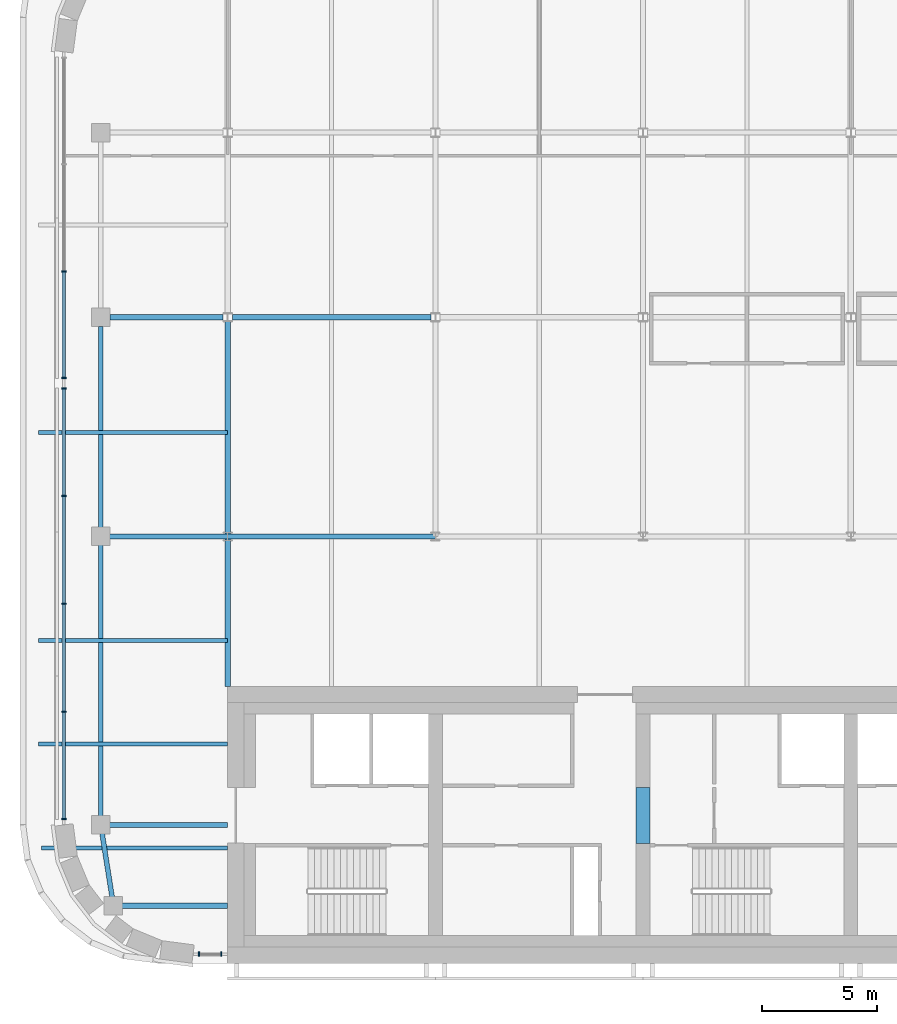
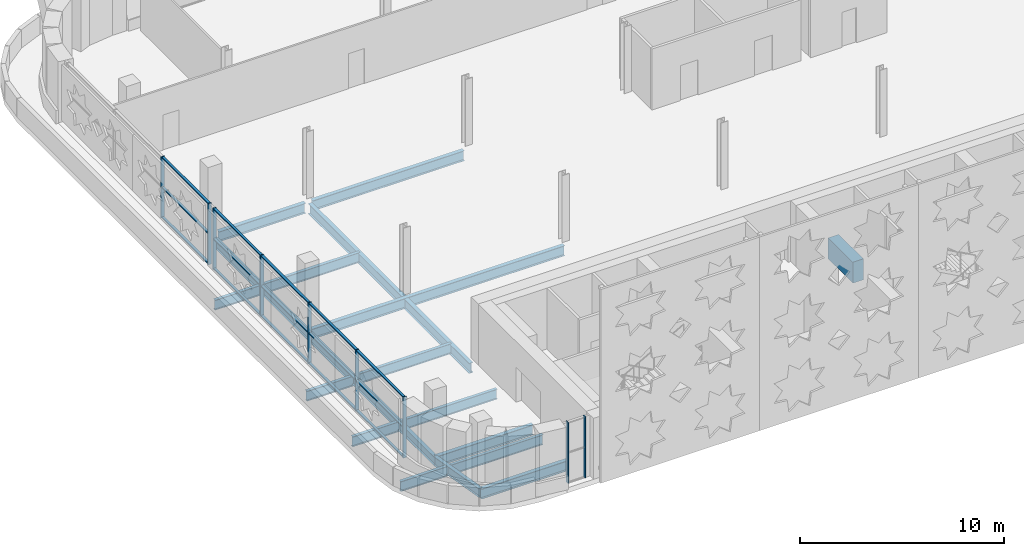
# One storey, part 5 of 25: 24 members, 14 beams, 3 elements without a shape of their own.
"""IFC4 building model written with IfcOpenShell, lengths in metres."""

from ifc_helpers import new_model, si_unit, direction, frame, origin, origin_2d, place, context, subcontext, project, spatial, rectangle, i_section, extrude, material, material_profile, profile_set, type_object, element, aggregate, save


model = new_model("IFC4")

# Units and contexts
model_context = context("Model", 3, precision=1e-05, world=origin(), true_north=direction((0.0, 1.0)))
body_context = subcontext(model_context, "Body", "Model", "MODEL_VIEW")
ifc_project = project(units=[si_unit("LENGTHUNIT", "METRE"), si_unit("AREAUNIT", "SQUARE_METRE"), si_unit("VOLUMEUNIT", "CUBIC_METRE"), si_unit("PLANEANGLEUNIT", "RADIAN"), si_unit("MASSUNIT", "GRAM", prefix="KILO")], contexts=[model_context])

# Site, building, storey
site_placement = place(None, origin())
site = spatial("IfcSite", under=ifc_project, at=site_placement, CompositionType="ELEMENT")
building_placement = place(site_placement, origin())
building = spatial("IfcBuilding", under=site, at=building_placement, Name="Zellij Exchange Tower", CompositionType="ELEMENT")
storey_placement = place(building_placement, frame((0.0, 0.0, 264.5)))
storey = spatial("IfcBuildingStorey", under=building, at=storey_placement, Name="L62", CompositionType="ELEMENT", Elevation=264.5)

# Beam
ifc_material_1 = material(Name="Concrete C50/60", Category="concrete")
ifc_material_profile_1 = material_profile(ifc_material_1, rectangle(XDim=0.60009765625, YDim=1.25, at=origin_2d()), Name="CORE-CB 600x1250 C50/60")
ifc_profile_set_1 = profile_set([ifc_material_profile_1], Name="Concrete C50/60")
beam_type_1 = type_object("IfcBeamType", Name="CORE-CB 600x1250 C50/60", PredefinedType="BEAM", material=ifc_profile_set_1)
beam_1_placement = place(storey_placement, frame((-9.0, -8.800048828125, 3.02490234375), z_axis=(0.0, 1.0, 0.0), x_axis=(-1.0, 0.0, 0.0)))
element("IfcBeam", 1, at=beam_1_placement, inside=storey, type_object=beam_type_1, Name="Core coupling beam x -9 L62", PredefinedType="BEAM", context=body_context, shape_type="SweptSolid", body=[
    extrude(rectangle(XDim=0.60009765625, YDim=1.25, at=origin_2d()), origin(), (0.0, 0.0, 1.0), 2.425048828125),
])

# Curtain wall, members
ifc_material_2 = material(Name="Aluminium frame, clear insulating glass", Category="aluminium")
curtain_wall_type = type_object("IfcCurtainWallType", Name="ENV-CW6 Sky-lobby glazing", PredefinedType="NOTDEFINED", material=ifc_material_2)
curtain_wall_1_placement = place(storey_placement, origin())
curtain_wall_1 = element("IfcCurtainWall", 2, at=curtain_wall_1_placement, inside=storey, type_object=curtain_wall_type, Name="cw.L62.00a", PredefinedType="NOTDEFINED")
ifc_material_3 = material(Name="Aluminium", Category="aluminium")
ifc_material_profile_2 = material_profile(ifc_material_3, rectangle(XDim=0.06005859375, YDim=0.199951171875, at=origin_2d()), Name="AL 60x200")
ifc_profile_set_2 = profile_set([ifc_material_profile_2], Name="Aluminium")
member_type_1 = type_object("IfcMemberType", Name="ENV-CW6M Mullion 60x200", PredefinedType="MULLION", material=ifc_profile_set_2)
member_1_placement = place(storey_placement, frame((-28.243896484375, -13.60009765625, 0.0), z_axis=(0.0, 0.0, 1.0), x_axis=(1.0, 0.0, 0.0)))
member_1 = element("IfcMember", 3, at=member_1_placement, type_object=member_type_1, Name="CW6 mullion 1", PredefinedType="MULLION", context=body_context, shape_type="SweptSolid", body=[
    extrude(rectangle(XDim=0.06005859375, YDim=0.199951171875, at=origin_2d()), origin(), (0.0, 0.0, 1.0), 3.64990234375),
])
member_2_placement = place(storey_placement, frame((-27.280029296875, -13.60009765625, 0.0), z_axis=(0.0, 0.0, 1.0), x_axis=(1.0, 0.0, 0.0)))
member_2 = element("IfcMember", 4, at=member_2_placement, type_object=member_type_1, Name="CW6 mullion 2", PredefinedType="MULLION", context=body_context, shape_type="SweptSolid", body=[
    extrude(rectangle(XDim=0.06005859375, YDim=0.199951171875, at=origin_2d()), origin(), (0.0, 0.0, 1.0), 3.64990234375),
])
aggregate(curtain_wall_1, [member_1, member_2])

curtain_wall_2_placement = place(storey_placement, origin())
curtain_wall_2 = element("IfcCurtainWall", 5, at=curtain_wall_2_placement, inside=storey, type_object=curtain_wall_type, Name="cw.L62.21a", PredefinedType="NOTDEFINED")
member_3_placement = place(storey_placement, frame((-34.10009765625, 15.98388671875, 0.0), z_axis=(0.0, 0.0, 1.0), x_axis=(0.0, -1.0, 0.0)))
member_3 = element("IfcMember", 6, at=member_3_placement, type_object=member_type_1, Name="CW6 mullion 3", PredefinedType="MULLION", context=body_context, shape_type="SweptSolid", body=[
    extrude(rectangle(XDim=0.06005859375, YDim=0.199951171875, at=origin_2d()), origin(), (0.0, 0.0, 1.0), 3.64990234375),
])
member_4_placement = place(storey_placement, frame((-34.10009765625, 11.369140625, 0.0), z_axis=(0.0, 0.0, 1.0), x_axis=(0.0, -1.0, 0.0)))
member_4 = element("IfcMember", 7, at=member_4_placement, type_object=member_type_1, Name="CW6 mullion 4", PredefinedType="MULLION", context=body_context, shape_type="SweptSolid", body=[
    extrude(rectangle(XDim=0.06005859375, YDim=0.199951171875, at=origin_2d()), origin(), (0.0, 0.0, 1.0), 3.64990234375),
])

curtain_wall_3_placement = place(storey_placement, origin())
curtain_wall_3 = element("IfcCurtainWall", 8, at=curtain_wall_3_placement, inside=storey, type_object=curtain_wall_type, Name="cw.L62.21b", PredefinedType="NOTDEFINED")
member_5_placement = place(storey_placement, frame((-34.10009765625, 10.9091796875, 0.0), z_axis=(0.0, 0.0, 1.0), x_axis=(0.0, -1.0, 0.0)))
member_5 = element("IfcMember", 9, at=member_5_placement, type_object=member_type_1, Name="CW6 mullion 1", PredefinedType="MULLION", context=body_context, shape_type="SweptSolid", body=[
    extrude(rectangle(XDim=0.06005859375, YDim=0.199951171875, at=origin_2d()), origin(), (0.0, 0.0, 1.0), 3.64990234375),
])
member_6_placement = place(storey_placement, frame((-34.10009765625, 6.260986328125, 0.0), z_axis=(0.0, 0.0, 1.0), x_axis=(0.0, -1.0, 0.0)))
member_6 = element("IfcMember", 10, at=member_6_placement, type_object=member_type_1, Name="CW6 mullion 2", PredefinedType="MULLION", context=body_context, shape_type="SweptSolid", body=[
    extrude(rectangle(XDim=0.06005859375, YDim=0.199951171875, at=origin_2d()), origin(), (0.0, 0.0, 1.0), 3.64990234375),
])
member_7_placement = place(storey_placement, frame((-34.10009765625, 1.582763671875, 0.0), z_axis=(0.0, 0.0, 1.0), x_axis=(0.0, -1.0, 0.0)))
member_7 = element("IfcMember", 11, at=member_7_placement, type_object=member_type_1, Name="CW6 mullion 3", PredefinedType="MULLION", context=body_context, shape_type="SweptSolid", body=[
    extrude(rectangle(XDim=0.06005859375, YDim=0.199951171875, at=origin_2d()), origin(), (0.0, 0.0, 1.0), 3.64990234375),
])
member_8_placement = place(storey_placement, frame((-34.10009765625, -3.095458984375, 0.0), z_axis=(0.0, 0.0, 1.0), x_axis=(0.0, -1.0, 0.0)))
member_8 = element("IfcMember", 12, at=member_8_placement, type_object=member_type_1, Name="CW6 mullion 4", PredefinedType="MULLION", context=body_context, shape_type="SweptSolid", body=[
    extrude(rectangle(XDim=0.06005859375, YDim=0.199951171875, at=origin_2d()), origin(), (0.0, 0.0, 1.0), 3.64990234375),
])
member_9_placement = place(storey_placement, frame((-34.10009765625, -7.743896484375, 0.0), z_axis=(0.0, 0.0, 1.0), x_axis=(0.0, -1.0, 0.0)))
member_9 = element("IfcMember", 13, at=member_9_placement, type_object=member_type_1, Name="CW6 mullion 5", PredefinedType="MULLION", context=body_context, shape_type="SweptSolid", body=[
    extrude(rectangle(XDim=0.06005859375, YDim=0.199951171875, at=origin_2d()), origin(), (0.0, 0.0, 1.0), 3.64990234375),
])

# Member
ifc_material_profile_3 = material_profile(ifc_material_3, rectangle(XDim=0.139892578125, YDim=0.06005859375, at=origin_2d()), Name="AL 140x60")
ifc_profile_set_3 = profile_set([ifc_material_profile_3], Name="Aluminium")
member_type_2 = type_object("IfcMemberType", Name="ENV-CW6T Transom 140x60", PredefinedType="USERDEFINED", material=ifc_profile_set_3)
member_10_placement = place(storey_placement, frame((-34.10009765625, 15.9541015625, 0.030029296875), z_axis=(0.0, -1.0, 0.0), x_axis=(1.0, 0.0, 0.0)))
member_10 = element("IfcMember", 14, at=member_10_placement, type_object=member_type_2, Name="CW6 transom 3.1", ObjectType="TRANSOM", PredefinedType="USERDEFINED", context=body_context, shape_type="SweptSolid", body=[
    extrude(rectangle(XDim=0.139892578125, YDim=0.06005859375, at=origin_2d()), origin(), (0.0, 0.0, 1.0), 4.554931640625),
])

member_11_placement = place(storey_placement, frame((-34.10009765625, 15.9541015625, 1.824951171875), z_axis=(0.0, -1.0, 0.0), x_axis=(1.0, 0.0, 0.0)))
member_11 = element("IfcMember", 15, at=member_11_placement, type_object=member_type_2, Name="CW6 transom 3.2", ObjectType="TRANSOM", PredefinedType="USERDEFINED", context=body_context, shape_type="SweptSolid", body=[
    extrude(rectangle(XDim=0.139892578125, YDim=0.06005859375, at=origin_2d()), origin(), (0.0, 0.0, 1.0), 4.554931640625),
])

member_12_placement = place(storey_placement, frame((-34.10009765625, 15.9541015625, 3.6201171875), z_axis=(0.0, -1.0, 0.0), x_axis=(1.0, 0.0, 0.0)))
member_12 = element("IfcMember", 16, at=member_12_placement, type_object=member_type_2, Name="CW6 transom 3.3", ObjectType="TRANSOM", PredefinedType="USERDEFINED", context=body_context, shape_type="SweptSolid", body=[
    extrude(rectangle(XDim=0.139892578125, YDim=0.06005859375, at=origin_2d()), origin(), (0.0, 0.0, 1.0), 4.554931640625),
])

aggregate(curtain_wall_2, [member_3, member_4, member_10, member_11, member_12])

member_13_placement = place(storey_placement, frame((-34.10009765625, 10.879150390625, 0.030029296875), z_axis=(0.0, -1.0, 0.0), x_axis=(1.0, 0.0, 0.0)))
member_13 = element("IfcMember", 17, at=member_13_placement, type_object=member_type_2, Name="CW6 transom 1.1", ObjectType="TRANSOM", PredefinedType="USERDEFINED", context=body_context, shape_type="SweptSolid", body=[
    extrude(rectangle(XDim=0.139892578125, YDim=0.06005859375, at=origin_2d()), origin(), (0.0, 0.0, 1.0), 4.58837890625),
])

member_14_placement = place(storey_placement, frame((-34.10009765625, 10.879150390625, 1.824951171875), z_axis=(0.0, -1.0, 0.0), x_axis=(1.0, 0.0, 0.0)))
member_14 = element("IfcMember", 18, at=member_14_placement, type_object=member_type_2, Name="CW6 transom 1.2", ObjectType="TRANSOM", PredefinedType="USERDEFINED", context=body_context, shape_type="SweptSolid", body=[
    extrude(rectangle(XDim=0.139892578125, YDim=0.06005859375, at=origin_2d()), origin(), (0.0, 0.0, 1.0), 4.58837890625),
])

member_15_placement = place(storey_placement, frame((-34.10009765625, 10.879150390625, 3.6201171875), z_axis=(0.0, -1.0, 0.0), x_axis=(1.0, 0.0, 0.0)))
member_15 = element("IfcMember", 19, at=member_15_placement, type_object=member_type_2, Name="CW6 transom 1.3", ObjectType="TRANSOM", PredefinedType="USERDEFINED", context=body_context, shape_type="SweptSolid", body=[
    extrude(rectangle(XDim=0.139892578125, YDim=0.06005859375, at=origin_2d()), origin(), (0.0, 0.0, 1.0), 4.58837890625),
])

member_16_placement = place(storey_placement, frame((-34.10009765625, 6.23095703125, 0.030029296875), z_axis=(0.0, -1.0, 0.0), x_axis=(1.0, 0.0, 0.0)))
member_16 = element("IfcMember", 20, at=member_16_placement, type_object=member_type_2, Name="CW6 transom 2.1", ObjectType="TRANSOM", PredefinedType="USERDEFINED", context=body_context, shape_type="SweptSolid", body=[
    extrude(rectangle(XDim=0.139892578125, YDim=0.06005859375, at=origin_2d()), origin(), (0.0, 0.0, 1.0), 4.618408203125),
])

member_17_placement = place(storey_placement, frame((-34.10009765625, 6.23095703125, 1.824951171875), z_axis=(0.0, -1.0, 0.0), x_axis=(1.0, 0.0, 0.0)))
member_17 = element("IfcMember", 21, at=member_17_placement, type_object=member_type_2, Name="CW6 transom 2.2", ObjectType="TRANSOM", PredefinedType="USERDEFINED", context=body_context, shape_type="SweptSolid", body=[
    extrude(rectangle(XDim=0.139892578125, YDim=0.06005859375, at=origin_2d()), origin(), (0.0, 0.0, 1.0), 4.618408203125),
])

member_18_placement = place(storey_placement, frame((-34.10009765625, 6.23095703125, 3.6201171875), z_axis=(0.0, -1.0, 0.0), x_axis=(1.0, 0.0, 0.0)))
member_18 = element("IfcMember", 22, at=member_18_placement, type_object=member_type_2, Name="CW6 transom 2.3", ObjectType="TRANSOM", PredefinedType="USERDEFINED", context=body_context, shape_type="SweptSolid", body=[
    extrude(rectangle(XDim=0.139892578125, YDim=0.06005859375, at=origin_2d()), origin(), (0.0, 0.0, 1.0), 4.618408203125),
])

member_19_placement = place(storey_placement, frame((-34.10009765625, 1.552734375, 0.030029296875), z_axis=(0.0, -1.0, 0.0), x_axis=(1.0, 0.0, 0.0)))
member_19 = element("IfcMember", 23, at=member_19_placement, type_object=member_type_2, Name="CW6 transom 3.1", ObjectType="TRANSOM", PredefinedType="USERDEFINED", context=body_context, shape_type="SweptSolid", body=[
    extrude(rectangle(XDim=0.139892578125, YDim=0.06005859375, at=origin_2d()), origin(), (0.0, 0.0, 1.0), 4.618408203125),
])

member_20_placement = place(storey_placement, frame((-34.10009765625, 1.552734375, 1.824951171875), z_axis=(0.0, -1.0, 0.0), x_axis=(1.0, 0.0, 0.0)))
member_20 = element("IfcMember", 24, at=member_20_placement, type_object=member_type_2, Name="CW6 transom 3.2", ObjectType="TRANSOM", PredefinedType="USERDEFINED", context=body_context, shape_type="SweptSolid", body=[
    extrude(rectangle(XDim=0.139892578125, YDim=0.06005859375, at=origin_2d()), origin(), (0.0, 0.0, 1.0), 4.618408203125),
])

member_21_placement = place(storey_placement, frame((-34.10009765625, 1.552734375, 3.6201171875), z_axis=(0.0, -1.0, 0.0), x_axis=(1.0, 0.0, 0.0)))
member_21 = element("IfcMember", 25, at=member_21_placement, type_object=member_type_2, Name="CW6 transom 3.3", ObjectType="TRANSOM", PredefinedType="USERDEFINED", context=body_context, shape_type="SweptSolid", body=[
    extrude(rectangle(XDim=0.139892578125, YDim=0.06005859375, at=origin_2d()), origin(), (0.0, 0.0, 1.0), 4.618408203125),
])

member_22_placement = place(storey_placement, frame((-34.10009765625, -3.12548828125, 0.030029296875), z_axis=(0.0, -1.0, 0.0), x_axis=(1.0, 0.0, 0.0)))
member_22 = element("IfcMember", 26, at=member_22_placement, type_object=member_type_2, Name="CW6 transom 4.1", ObjectType="TRANSOM", PredefinedType="USERDEFINED", context=body_context, shape_type="SweptSolid", body=[
    extrude(rectangle(XDim=0.139892578125, YDim=0.06005859375, at=origin_2d()), origin(), (0.0, 0.0, 1.0), 4.58837890625),
])

member_23_placement = place(storey_placement, frame((-34.10009765625, -3.12548828125, 1.824951171875), z_axis=(0.0, -1.0, 0.0), x_axis=(1.0, 0.0, 0.0)))
member_23 = element("IfcMember", 27, at=member_23_placement, type_object=member_type_2, Name="CW6 transom 4.2", ObjectType="TRANSOM", PredefinedType="USERDEFINED", context=body_context, shape_type="SweptSolid", body=[
    extrude(rectangle(XDim=0.139892578125, YDim=0.06005859375, at=origin_2d()), origin(), (0.0, 0.0, 1.0), 4.58837890625),
])

member_24_placement = place(storey_placement, frame((-34.10009765625, -3.12548828125, 3.6201171875), z_axis=(0.0, -1.0, 0.0), x_axis=(1.0, 0.0, 0.0)))
member_24 = element("IfcMember", 28, at=member_24_placement, type_object=member_type_2, Name="CW6 transom 4.3", ObjectType="TRANSOM", PredefinedType="USERDEFINED", context=body_context, shape_type="SweptSolid", body=[
    extrude(rectangle(XDim=0.139892578125, YDim=0.06005859375, at=origin_2d()), origin(), (0.0, 0.0, 1.0), 4.58837890625),
])

aggregate(curtain_wall_3, [member_5, member_6, member_7, member_8, member_9, member_13, member_14, member_15, member_16, member_17, member_18, member_19, member_20, member_21, member_22, member_23, member_24])

# Beams
ifc_material_4 = material(Name="Structural steel ASTM A992 Gr 50", Category="steel")
ifc_material_profile_4 = material_profile(ifc_material_4, i_section(OverallWidth=0.177978515625, OverallDepth=0.599365234375, WebThickness=0.010009765625, FlangeThickness=0.012939453125, at=origin_2d()), Name="W24x55")
ifc_profile_set_4 = profile_set([ifc_material_profile_4], Name="Structural steel ASTM A992 Gr 50")
beam_type_2 = type_object("IfcBeamType", Name="STR-BEAM W24x55", PredefinedType="BEAM", material=ifc_profile_set_4)
beam_2_placement = place(storey_placement, frame((-35.06103515625, -9.0, -0.599609375), z_axis=(1.0, 0.0, 0.0), x_axis=(0.0, 1.0, 0.0)))
element("IfcBeam", 29, at=beam_2_placement, inside=storey, type_object=beam_type_2, Name="B4", PredefinedType="BEAM", context=body_context, shape_type="SweptSolid", body=[
    extrude(i_section(OverallWidth=0.177978515625, OverallDepth=0.599365234375, WebThickness=0.010009765625, FlangeThickness=0.012939453125, at=origin_2d()), origin(), (0.0, 0.0, 1.0), 8.06103515625),
])
for number, where, z_axis, x_axis, name in (
    (30, (-35.199951171875, -4.5, -0.599609375), (1.0, 0.0, 0.0), (0.0, 1.0, 0.0), "B4"),
    (31, (-35.199951171875, 0.0, -0.599609375), (1.0, 0.0, 0.0), (0.0, 1.0, 0.0), "B4"),
    (32, (-35.199951171875, 9.0, -0.599609375), (1.0, 0.0, 0.0), (0.0, 1.0, 0.0), "B4"),
):
    element("IfcBeam", number, at=place(storey_placement, frame(where, z_axis=z_axis, x_axis=x_axis)), inside=storey, type_object=beam_type_2, Name=name, PredefinedType="BEAM", context=body_context, shape_type="SweptSolid", body=[
        extrude(i_section(OverallWidth=0.177978515625, OverallDepth=0.599365234375, WebThickness=0.010009765625, FlangeThickness=0.012939453125, at=origin_2d()), origin(), (0.0, 0.0, 1.0), 8.199951171875),
    ])
ifc_material_profile_5 = material_profile(ifc_material_4, i_section(OverallWidth=0.209228515625, OverallDepth=0.533447265625, WebThickness=0.01025390625, FlangeThickness=0.015625, at=origin_2d()), Name="W21x62")
ifc_profile_set_5 = profile_set([ifc_material_profile_5], Name="Structural steel ASTM A992 Gr 50")
beam_type_3 = type_object("IfcBeamType", Name="STR-EDGE GIRDER W21x62", PredefinedType="BEAM", material=ifc_profile_set_5)
beam_3_placement = place(storey_placement, frame((-31.949951171875, -11.5, -0.566650390625), z_axis=(-0.155251283593, 0.987875011802, 0.0), x_axis=(-0.987875011802, -0.155251283593, 0.0)))
element("IfcBeam", 33, at=beam_3_placement, inside=storey, type_object=beam_type_3, Name="EB3", PredefinedType="BEAM", context=body_context, shape_type="SweptSolid", body=[
    extrude(i_section(OverallWidth=0.209228515625, OverallDepth=0.533447265625, WebThickness=0.01025390625, FlangeThickness=0.015625, at=origin_2d()), origin(), (0.0, 0.0, 1.0), 3.54296875),
])
beam_4_placement = place(storey_placement, frame((-32.5, -8.0, -0.566650390625), z_axis=(0.0, 1.0, 0.0), x_axis=(-1.0, 0.0, 0.0)))
element("IfcBeam", 34, at=beam_4_placement, inside=storey, type_object=beam_type_3, Name="EB3", PredefinedType="BEAM", context=body_context, shape_type="SweptSolid", body=[
    extrude(i_section(OverallWidth=0.209228515625, OverallDepth=0.533447265625, WebThickness=0.01025390625, FlangeThickness=0.015625, at=origin_2d()), origin(), (0.0, 0.0, 1.0), 12.5),
])
beam_5_placement = place(storey_placement, frame((-32.5, 4.5, -0.566650390625), z_axis=(0.0, 1.0, 0.0), x_axis=(-1.0, 0.0, 0.0)))
element("IfcBeam", 35, at=beam_5_placement, inside=storey, type_object=beam_type_3, Name="EB3", PredefinedType="BEAM", context=body_context, shape_type="SweptSolid", body=[
    extrude(i_section(OverallWidth=0.209228515625, OverallDepth=0.533447265625, WebThickness=0.01025390625, FlangeThickness=0.015625, at=origin_2d()), origin(), (0.0, 0.0, 1.0), 9.10009765625),
])
ifc_material_profile_6 = material_profile(ifc_material_4, i_section(OverallWidth=0.228271484375, OverallDepth=0.607177734375, WebThickness=0.01123046875, FlangeThickness=0.017333984375, at=origin_2d()), Name="W24x76")
ifc_profile_set_6 = profile_set([ifc_material_profile_6], Name="Structural steel ASTM A992 Gr 50")
beam_type_4 = type_object("IfcBeamType", Name="STR-GIRDER W24x76", PredefinedType="BEAM", material=ifc_profile_set_6)
beam_6_placement = place(storey_placement, frame((-31.949951171875, -11.5, -0.603515625), z_axis=(1.0, 0.0, 0.0), x_axis=(0.0, 1.0, 0.0)))
element("IfcBeam", 36, at=beam_6_placement, inside=storey, type_object=beam_type_4, Name="G2", PredefinedType="BEAM", context=body_context, shape_type="SweptSolid", body=[
    extrude(i_section(OverallWidth=0.228271484375, OverallDepth=0.607177734375, WebThickness=0.01123046875, FlangeThickness=0.017333984375, at=origin_2d()), origin(), (0.0, 0.0, 1.0), 4.949951171875),
])
beam_7_placement = place(storey_placement, frame((-32.5, -8.0, -0.603515625), z_axis=(1.0, 0.0, 0.0), x_axis=(0.0, 1.0, 0.0)))
element("IfcBeam", 37, at=beam_7_placement, inside=storey, type_object=beam_type_4, Name="G2", PredefinedType="BEAM", context=body_context, shape_type="SweptSolid", body=[
    extrude(i_section(OverallWidth=0.228271484375, OverallDepth=0.607177734375, WebThickness=0.01123046875, FlangeThickness=0.017333984375, at=origin_2d()), origin(), (0.0, 0.0, 1.0), 5.5),
])
beam_8_placement = place(storey_placement, frame((-32.5, 4.5, -0.603515625), z_axis=(1.0, 0.0, 0.0), x_axis=(0.0, 1.0, 0.0)))
element("IfcBeam", 38, at=beam_8_placement, inside=storey, type_object=beam_type_4, Name="G2", PredefinedType="BEAM", context=body_context, shape_type="SweptSolid", body=[
    extrude(i_section(OverallWidth=0.228271484375, OverallDepth=0.607177734375, WebThickness=0.01123046875, FlangeThickness=0.017333984375, at=origin_2d()), origin(), (0.0, 0.0, 1.0), 14.5),
])
beam_9_placement = place(storey_placement, frame((-32.10009765625, 14.0, -0.603515625), z_axis=(1.0, 0.0, 0.0), x_axis=(0.0, 1.0, 0.0)))
element("IfcBeam", 39, at=beam_9_placement, inside=storey, type_object=beam_type_4, Name="G2", PredefinedType="BEAM", context=body_context, shape_type="SweptSolid", body=[
    extrude(i_section(OverallWidth=0.228271484375, OverallDepth=0.607177734375, WebThickness=0.01123046875, FlangeThickness=0.017333984375, at=origin_2d()), origin(), (0.0, 0.0, 1.0), 4.900634765625),
])
beam_10_placement = place(storey_placement, frame((-26.800537109375, 14.0, -0.603515625), z_axis=(1.0, 0.0, 0.0), x_axis=(0.0, 1.0, 0.0)))
element("IfcBeam", 40, at=beam_10_placement, inside=storey, type_object=beam_type_4, Name="G2", PredefinedType="BEAM", context=body_context, shape_type="SweptSolid", body=[
    extrude(i_section(OverallWidth=0.228271484375, OverallDepth=0.607177734375, WebThickness=0.01123046875, FlangeThickness=0.017333984375, at=origin_2d()), origin(), (0.0, 0.0, 1.0), 8.60107421875),
])
beam_11_placement = place(storey_placement, frame((-27.0, -2.0, -0.603515625), z_axis=(0.0, 1.0, 0.0), x_axis=(-1.0, 0.0, 0.0)))
element("IfcBeam", 41, at=beam_11_placement, inside=storey, type_object=beam_type_4, Name="G2", PredefinedType="BEAM", context=body_context, shape_type="SweptSolid", body=[
    extrude(i_section(OverallWidth=0.228271484375, OverallDepth=0.607177734375, WebThickness=0.01123046875, FlangeThickness=0.017333984375, at=origin_2d()), origin(), (0.0, 0.0, 1.0), 15.806884765625),
])

save(model, "model.ifc")
